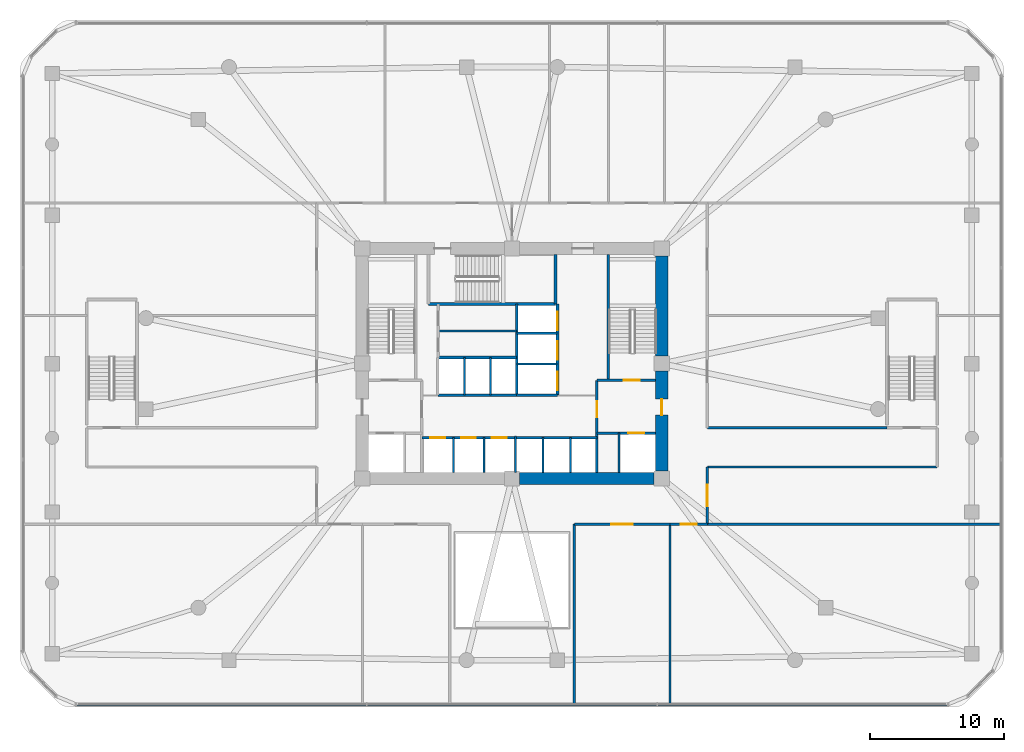
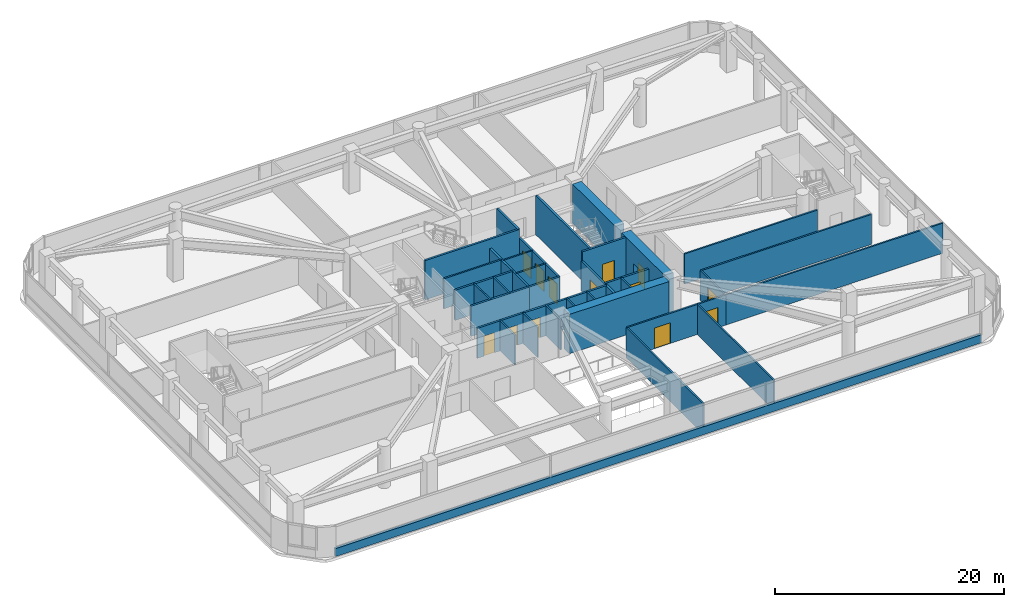
# One storey, part 17 of 21: 36 walls, 13 doors, 13 openings.
"""IFC4 building model written with IfcOpenShell, lengths in metres."""

from ifc_helpers import new_model, si_unit, derived_unit, direction, frame, frame_2d, origin, place, context, subcontext, project, spatial, rectangle, extrude, material, layer, layer_set, type_object, element, fill, save


model = new_model("IFC4")

# Units and contexts
model_context = context("Model", 3, precision=1e-05, world=origin(), true_north=direction((0.0, 1.0)))
body_context = subcontext(model_context, "Body", "Model", "MODEL_VIEW")
ifc_project = project(units=[si_unit("LENGTHUNIT", "METRE"), si_unit("AREAUNIT", "SQUARE_METRE"), si_unit("VOLUMEUNIT", "CUBIC_METRE"), si_unit("PLANEANGLEUNIT", "RADIAN"), si_unit("MASSUNIT", "GRAM", prefix="KILO"), derived_unit("THERMALTRANSMITTANCEUNIT", [(si_unit("POWERUNIT", "WATT"), 1), (si_unit("LENGTHUNIT", "METRE"), -2), (si_unit("THERMODYNAMICTEMPERATUREUNIT", "KELVIN"), -1)])], contexts=[model_context])

# Site, building, storey
site_placement = place(None, origin())
site = spatial("IfcSite", under=ifc_project, at=site_placement, CompositionType="ELEMENT")
building_placement = place(site_placement, origin())
building = spatial("IfcBuilding", under=site, at=building_placement, Name="Koralith Skygarden Medical Center", CompositionType="ELEMENT")
storey_placement = place(building_placement, frame((0.0, 0.0, 5.39990234375)))
storey = spatial("IfcBuildingStorey", under=building, at=storey_placement, Name="L01", CompositionType="ELEMENT", Elevation=5.39990234375)

# Walls
ifc_material_1 = material(Name="Gypsum Board Partition")
ifc_layer_1 = layer(ifc_material_1, 0.14990234375)
ifc_layer_set_1 = layer_set([ifc_layer_1], Name="Gypsum Board Partition")
wall_type_1 = type_object("IfcWallType", Name="Clinical Acoustic Partition 150", PredefinedType="PARTITIONING", material=ifc_layer_set_1)
wall_1_placement = place(storey_placement, frame((48.800048828125, 0.43994140625, 0.0), z_axis=(0.0, 0.0, 1.0), x_axis=(0.0, 1.0, 0.0)))
element("IfcWall", 1, at=wall_1_placement, inside=storey, type_object=wall_type_1, Name="L01 Clinical Acoustic Partition 150 W-PDPART-L01-SR-1", PredefinedType="PARTITIONING", context=body_context, shape_type="SweptSolid", body=[
    extrude(rectangle(XDim=13.449951171875, YDim=0.14990234375, at=frame_2d((6.72509765625, 0.0))), origin(), (0.0, 0.0, 1.0), 3.210205078125),
])
ifc_layer_2 = layer(ifc_material_1, 0.1650390625)
ifc_layer_set_2 = layer_set([ifc_layer_2], Name="Gypsum Board Partition")
wall_type_2 = type_object("IfcWallType", Name="Clinical Corridor Partition 165", PredefinedType="PARTITIONING", material=ifc_layer_set_2)
wall_2_placement = place(storey_placement, frame((51.610107421875, 13.889892578125, 0.0), z_axis=(0.0, 0.0, 1.0), x_axis=(1.0, 0.0, 0.0)))
element("IfcWall", 2, at=wall_2_placement, inside=storey, type_object=wall_type_2, Name="L01 Clinical Corridor Partition 165 W-WB-L01-SE", PredefinedType="PARTITIONING", context=body_context, shape_type="SweptSolid", body=[
    extrude(rectangle(XDim=21.949951171875, YDim=0.1650390625, at=frame_2d((10.97509765625, 0.0))), origin(), (0.0, 0.0, 1.0), 3.210205078125),
])
wall_3_placement = place(storey_placement, frame((51.610107421875, 18.169921875, 0.0), z_axis=(0.0, 0.0, 1.0), x_axis=(1.0, 0.0, 0.0)))
element("IfcWall", 3, at=wall_3_placement, inside=storey, type_object=wall_type_2, Name="L01 Clinical Corridor Partition 165 W-PARM-L01-ES", PredefinedType="PARTITIONING", context=body_context, shape_type="SweptSolid", body=[
    extrude(rectangle(XDim=17.18994140625, YDim=0.1650390625, at=frame_2d((8.594970703125, 0.0))), origin(), (0.0, 0.0, 1.0), 3.210205078125),
])
wall_4_placement = place(storey_placement, frame((51.610107421875, 21.10009765625, 0.0), z_axis=(0.0, 0.0, 1.0), x_axis=(1.0, 0.0, 0.0)))
element("IfcWall", 4, at=wall_4_placement, inside=storey, type_object=wall_type_2, Name="L01 Clinical Corridor Partition 165 W-PARM-L01-EN", PredefinedType="PARTITIONING", context=body_context, shape_type="SweptSolid", body=[
    extrude(rectangle(XDim=13.43994140625, YDim=0.1650390625, at=frame_2d((6.719970703125, 0.0))), origin(), (0.0, 0.0, 1.0), 3.210205078125),
])
wall_5_placement = place(storey_placement, frame((41.659912109375, 0.43994140625, 0.0), z_axis=(0.0, 0.0, 1.0), x_axis=(0.0, 1.0, 0.0)))
element("IfcWall", 5, at=wall_5_placement, inside=storey, type_object=wall_type_2, Name="L01 Clinical Corridor Partition 165 W-PATR-L01-E", PredefinedType="PARTITIONING", context=body_context, shape_type="SweptSolid", body=[
    extrude(rectangle(XDim=13.449951171875, YDim=0.1650390625, at=frame_2d((6.72509765625, 0.0))), origin(), (0.0, 0.0, 1.0), 3.210205078125),
])

# Wall, opening, door
wall_6_placement = place(storey_placement, frame((41.659912109375, 13.889892578125, 0.0), z_axis=(0.0, 0.0, 1.0), x_axis=(1.0, 0.0, 0.0)))
wall_6 = element("IfcWall", 6, at=wall_6_placement, inside=storey, type_object=wall_type_2, Name="L01 Clinical Corridor Partition 165 W-PDCOR-L01-SR-1", PredefinedType="PARTITIONING", context=body_context, shape_type="SweptSolid", body=[
    extrude(rectangle(XDim=7.14013671875, YDim=0.1650390625, at=frame_2d((3.570068359375, 0.0))), origin(), (0.0, 0.0, 1.0), 3.210205078125),
])
opening_1_placement = place(wall_6_placement, frame((2.77001953125, 0.0, 0.0)))
opening_1 = element("IfcOpeningElement", 7, at=opening_1_placement, cuts=wall_6, Name="Opening D-DBL", PredefinedType="OPENING", context=body_context, shape_type="SweptSolid", body=[
    extrude(rectangle(XDim=1.60009765625, YDim=2.199951171875, at=frame_2d((0.800048828125, 1.10009765625))), frame((0.0, 0.092529296875, 0.0), z_axis=(0.0, -1.0, 0.0), x_axis=(1.0, 0.0, 0.0)), (0.0, 0.0, 1.0), 0.18505859375),
])
ifc_material_2 = material(Name="Aluminium 6063-T6", Category="aluminium")
door_type_1 = type_object("IfcDoorType", Name="Double Clinical Suite Door D-DBL 1600", OperationType="NOTDEFINED", PredefinedType="DOOR", material=ifc_material_2)
door_1_placement = place(opening_1_placement, frame((1.60009765625, 0.0, 0.0), z_axis=(0.0, 0.0, 1.0), x_axis=(-1.0, 0.0, 0.0)))
door_1 = element("IfcDoor", 8, at=door_1_placement, inside=storey, type_object=door_type_1, Name="L01 Outpatient Reception and Waiting Lounge Door", OperationType="DOUBLE_DOOR_SINGLE_SWING", OverallHeight=2.199951171875, OverallWidth=1.60009765625, PredefinedType="DOOR", context=body_context, shape_type="SweptSolid", body=[
    extrude(rectangle(XDim=1.60009765625, YDim=2.199951171875, at=frame_2d((0.800048828125, 1.10009765625))), frame((0.0, 0.02490234375, 0.0), z_axis=(0.0, -1.0, 0.0), x_axis=(1.0, 0.0, 0.0)), (0.0, 0.0, 1.0), 0.050048828125),
])
fill(opening_1, door_1)

wall_7_placement = place(storey_placement, frame((48.800048828125, 13.889892578125, 0.0), z_axis=(0.0, 0.0, 1.0), x_axis=(1.0, 0.0, 0.0)))
wall_7 = element("IfcWall", 9, at=wall_7_placement, inside=storey, type_object=wall_type_2, Name="L01 Clinical Corridor Partition 165 W-PDCOR-L01-SR-2", PredefinedType="PARTITIONING", context=body_context, shape_type="SweptSolid", body=[
    extrude(rectangle(XDim=2.81005859375, YDim=0.1650390625, at=frame_2d((1.405029296875, 0.0))), origin(), (0.0, 0.0, 1.0), 3.210205078125),
])
opening_2_placement = place(wall_7_placement, frame((0.804931640625, 0.0, 0.0)))
opening_2 = element("IfcOpeningElement", 10, at=opening_2_placement, cuts=wall_7, Name="Opening D-CLN", PredefinedType="OPENING", context=body_context, shape_type="SweptSolid", body=[
    extrude(rectangle(XDim=1.199951171875, YDim=2.14990234375, at=frame_2d((0.60009765625, 1.074951171875))), frame((0.0, 0.092529296875, 0.0), z_axis=(0.0, -1.0, 0.0), x_axis=(1.0, 0.0, 0.0)), (0.0, 0.0, 1.0), 0.18505859375),
])
door_type_2 = type_object("IfcDoorType", Name="Clinical Corridor Door D-CLN 1200", OperationType="NOTDEFINED", PredefinedType="DOOR", material=ifc_material_2)
door_2_placement = place(opening_2_placement, frame((1.199951171875, 0.0, 0.0), z_axis=(0.0, 0.0, 1.0), x_axis=(-1.0, 0.0, 0.0)))
door_2 = element("IfcDoor", 11, at=door_2_placement, inside=storey, type_object=door_type_2, Name="L01 Public Ambulant Restroom WC Door", OperationType="SINGLE_SWING_LEFT", OverallHeight=2.14990234375, OverallWidth=1.199951171875, PredefinedType="DOOR", context=body_context, shape_type="SweptSolid", body=[
    extrude(rectangle(XDim=1.199951171875, YDim=2.14990234375, at=frame_2d((0.60009765625, 1.074951171875))), frame((0.0, 0.02490234375, 0.0), z_axis=(0.0, -1.0, 0.0), x_axis=(1.0, 0.0, 0.0)), (0.0, 0.0, 1.0), 0.050048828125),
])
fill(opening_2, door_2)

wall_8_placement = place(storey_placement, frame((51.610107421875, 13.889892578125, 0.0), z_axis=(0.0, 0.0, 1.0), x_axis=(0.0, 1.0, 0.0)))
wall_8 = element("IfcWall", 12, at=wall_8_placement, inside=storey, type_object=wall_type_2, Name="L01 Clinical Corridor Partition 165 W-PDCOR-L01-E-1", PredefinedType="PARTITIONING", context=body_context, shape_type="SweptSolid", body=[
    extrude(rectangle(XDim=4.280029296875, YDim=0.1650390625, at=frame_2d((2.14013671875, 0.0))), origin(), (0.0, 0.0, 1.0), 3.210205078125),
])
opening_3_placement = place(wall_8_placement, frame((1.340087890625, 0.0, 0.0)))
opening_3 = element("IfcOpeningElement", 13, at=opening_3_placement, cuts=wall_8, Name="Opening D-DBL", PredefinedType="OPENING", context=body_context, shape_type="SweptSolid", body=[
    extrude(rectangle(XDim=1.60009765625, YDim=2.199951171875, at=frame_2d((0.800048828125, 1.10009765625))), frame((0.0, 0.092529296875, 0.0), z_axis=(0.0, -1.0, 0.0), x_axis=(1.0, 0.0, 0.0)), (0.0, 0.0, 1.0), 0.18505859375),
])
door_3_placement = place(opening_3_placement, origin())
door_3 = element("IfcDoor", 14, at=door_3_placement, inside=storey, type_object=door_type_1, Name="L01 Outpatient Ophthalmology Clinic Door", OperationType="DOUBLE_DOOR_SINGLE_SWING", OverallHeight=2.199951171875, OverallWidth=1.60009765625, PredefinedType="DOOR", context=body_context, shape_type="SweptSolid", body=[
    extrude(rectangle(XDim=1.60009765625, YDim=2.199951171875, at=frame_2d((0.800048828125, 1.10009765625))), frame((0.0, 0.02490234375, 0.0), z_axis=(0.0, -1.0, 0.0), x_axis=(1.0, 0.0, 0.0)), (0.0, 0.0, 1.0), 0.050048828125),
])
fill(opening_3, door_3)

ifc_layer_3 = layer(ifc_material_1, 0.199951171875)
ifc_layer_set_3 = layer_set([ifc_layer_3], Name="Gypsum Board Partition")
wall_type_3 = type_object("IfcWallType", Name="Fire Shaft Wall 200", PredefinedType="SOLIDWALL", material=ifc_layer_set_3)
wall_9_placement = place(storey_placement, frame((43.35009765625, 20.699951171875, 0.0), z_axis=(0.0, 0.0, 1.0), x_axis=(1.0, 0.0, 0.0)))
wall_9 = element("IfcWall", 15, at=wall_9_placement, inside=storey, type_object=wall_type_3, Name="L01 Fire Shaft Wall 200 W-CORE-L01-FF2-N", PredefinedType="SOLIDWALL", context=body_context, shape_type="SweptSolid", body=[
    extrude(rectangle(XDim=4.39990234375, YDim=0.199951171875, at=frame_2d((2.199951171875, 0.0))), origin(), (0.0, 0.0, 1.0), 3.210205078125),
])
opening_4_placement = place(wall_9_placement, frame((2.35009765625, 0.0, 0.0)))
opening_4 = element("IfcOpeningElement", 16, at=opening_4_placement, cuts=wall_9, Name="Opening LD-FF", PredefinedType="OPENING", context=body_context, shape_type="SweptSolid", body=[
    extrude(rectangle(XDim=1.199951171875, YDim=2.14990234375, at=frame_2d((0.60009765625, 1.074951171875))), frame((0.0, 0.10986328125, 0.0), z_axis=(0.0, -1.0, 0.0), x_axis=(1.0, 0.0, 0.0)), (0.0, 0.0, 1.0), 0.219970703125),
])
ifc_material_3 = material(Name="Steel ASTM A500 Grade C", Category="steel")
door_type_3 = type_object("IfcDoorType", Name="Fire Lift Sliding Landing Door LD-FF 1200", OperationType="NOTDEFINED", PredefinedType="DOOR", material=ifc_material_3)
door_4_placement = place(opening_4_placement, origin())
door_4 = element("IfcDoor", 17, at=door_4_placement, inside=storey, type_object=door_type_3, Name="L01 Fire Service Elevator FF2 Landing Door", OperationType="SLIDING_TO_RIGHT", OverallHeight=2.14990234375, OverallWidth=1.199951171875, PredefinedType="DOOR", context=body_context, shape_type="SweptSolid", body=[
    extrude(rectangle(XDim=1.199951171875, YDim=2.14990234375, at=frame_2d((0.60009765625, 1.074951171875))), frame((0.0, 0.02490234375, 0.0), z_axis=(0.0, -1.0, 0.0), x_axis=(1.0, 0.0, 0.0)), (0.0, 0.0, 1.0), 0.050048828125),
])
fill(opening_4, door_4)

wall_10_placement = place(storey_placement, frame((43.35009765625, 17.75, 0.0), z_axis=(0.0, 0.0, 1.0), x_axis=(0.0, 1.0, 0.0)))
wall_10 = element("IfcWall", 18, at=wall_10_placement, inside=storey, type_object=wall_type_3, Name="L01 Fire Shaft Wall 200 W-CORE-L01-FSAEE-W", PredefinedType="SOLIDWALL", context=body_context, shape_type="SweptSolid", body=[
    extrude(rectangle(XDim=6.89990234375, YDim=0.199951171875, at=frame_2d((3.449951171875, 0.0))), origin(), (0.0, 0.0, 1.0), 3.210205078125),
])
opening_5_placement = place(wall_10_placement, frame((4.14990234375, 0.0, 0.0)))
opening_5 = element("IfcOpeningElement", 19, at=opening_5_placement, cuts=wall_10, Name="Opening D-ST60", PredefinedType="OPENING", context=body_context, shape_type="SweptSolid", body=[
    extrude(rectangle(XDim=1.199951171875, YDim=2.14990234375, at=frame_2d((0.60009765625, 1.074951171875))), frame((0.0, 0.10986328125, 0.0), z_axis=(0.0, -1.0, 0.0), x_axis=(1.0, 0.0, 0.0)), (0.0, 0.0, 1.0), 0.219970703125),
])
door_type_4 = type_object("IfcDoorType", Name="Smokeproof Stair Fire Door FD60S 1200", OperationType="NOTDEFINED", PredefinedType="DOOR", material=ifc_material_3)
door_5_placement = place(opening_5_placement, frame((1.199951171875, 0.0, 0.0), z_axis=(0.0, 0.0, 1.0), x_axis=(-1.0, 0.0, 0.0)))
door_5 = element("IfcDoor", 20, at=door_5_placement, inside=storey, type_object=door_type_4, Name="L01 East Firefighting Lobby Inner Fire Door", OperationType="SINGLE_SWING_RIGHT", OverallHeight=2.14990234375, OverallWidth=1.199951171875, PredefinedType="DOOR", context=body_context, shape_type="SweptSolid", body=[
    extrude(rectangle(XDim=1.199951171875, YDim=2.14990234375, at=frame_2d((0.60009765625, 1.074951171875))), frame((0.0, 0.02490234375, 0.0), z_axis=(0.0, -1.0, 0.0), x_axis=(1.0, 0.0, 0.0)), (0.0, 0.0, 1.0), 0.050048828125),
])
fill(opening_5, door_5)

# Wall, openings, doors
wall_11_placement = place(storey_placement, frame((30.25, 20.360107421875, 0.0), z_axis=(0.0, 0.0, 1.0), x_axis=(1.0, 0.0, 0.0)))
wall_11 = element("IfcWall", 21, at=wall_11_placement, inside=storey, type_object=wall_type_3, Name="L01 Fire Shaft Wall 200 W-CORE-L01-PL-N", PredefinedType="SOLIDWALL", context=body_context, shape_type="SweptSolid", body=[
    extrude(rectangle(XDim=7.0, YDim=0.199951171875, at=frame_2d((3.5, 0.0))), origin(), (0.0, 0.0, 1.0), 3.210205078125),
])
opening_6_placement = place(wall_11_placement, frame((0.64990234375, 0.0, 0.0)))
opening_6 = element("IfcOpeningElement", 22, at=opening_6_placement, cuts=wall_11, Name="Opening LD-P", PredefinedType="OPENING", context=body_context, shape_type="SweptSolid", body=[
    extrude(rectangle(XDim=1.10009765625, YDim=2.14990234375, at=frame_2d((0.550048828125, 1.074951171875))), frame((0.0, 0.10986328125, 0.0), z_axis=(0.0, -1.0, 0.0), x_axis=(1.0, 0.0, 0.0)), (0.0, 0.0, 1.0), 0.219970703125),
])
opening_7_placement = place(wall_11_placement, frame((2.949951171875, 0.0, 0.0)))
opening_7 = element("IfcOpeningElement", 23, at=opening_7_placement, cuts=wall_11, Name="Opening LD-P", PredefinedType="OPENING", context=body_context, shape_type="SweptSolid", body=[
    extrude(rectangle(XDim=1.10009765625, YDim=2.14990234375, at=frame_2d((0.550048828125, 1.074951171875))), frame((0.0, 0.10986328125, 0.0), z_axis=(0.0, -1.0, 0.0), x_axis=(1.0, 0.0, 0.0)), (0.0, 0.0, 1.0), 0.219970703125),
])
opening_8_placement = place(wall_11_placement, frame((5.25, 0.0, 0.0)))
opening_8 = element("IfcOpeningElement", 24, at=opening_8_placement, cuts=wall_11, Name="Opening LD-P", PredefinedType="OPENING", context=body_context, shape_type="SweptSolid", body=[
    extrude(rectangle(XDim=1.10009765625, YDim=2.14990234375, at=frame_2d((0.550048828125, 1.074951171875))), frame((0.0, 0.10986328125, 0.0), z_axis=(0.0, -1.0, 0.0), x_axis=(1.0, 0.0, 0.0)), (0.0, 0.0, 1.0), 0.219970703125),
])
door_type_5 = type_object("IfcDoorType", Name="Passenger Lift Sliding Landing Door LD-P 1100", OperationType="NOTDEFINED", PredefinedType="DOOR", material=ifc_material_3)
door_6_placement = place(opening_6_placement, origin())
door_6 = element("IfcDoor", 25, at=door_6_placement, inside=storey, type_object=door_type_5, Name="L01 Passenger Elevator PL1 Landing Door", OperationType="SLIDING_TO_LEFT", OverallHeight=2.14990234375, OverallWidth=1.10009765625, PredefinedType="DOOR", context=body_context, shape_type="SweptSolid", body=[
    extrude(rectangle(XDim=1.10009765625, YDim=2.14990234375, at=frame_2d((0.550048828125, 1.074951171875))), frame((0.0, 0.02490234375, 0.0), z_axis=(0.0, -1.0, 0.0), x_axis=(1.0, 0.0, 0.0)), (0.0, 0.0, 1.0), 0.050048828125),
])
fill(opening_6, door_6)
door_7_placement = place(opening_7_placement, origin())
door_7 = element("IfcDoor", 26, at=door_7_placement, inside=storey, type_object=door_type_5, Name="L01 Passenger Elevator PL2 Landing Door", OperationType="SLIDING_TO_LEFT", OverallHeight=2.14990234375, OverallWidth=1.10009765625, PredefinedType="DOOR", context=body_context, shape_type="SweptSolid", body=[
    extrude(rectangle(XDim=1.10009765625, YDim=2.14990234375, at=frame_2d((0.550048828125, 1.074951171875))), frame((0.0, 0.02490234375, 0.0), z_axis=(0.0, -1.0, 0.0), x_axis=(1.0, 0.0, 0.0)), (0.0, 0.0, 1.0), 0.050048828125),
])
fill(opening_7, door_7)
door_8_placement = place(opening_8_placement, origin())
door_8 = element("IfcDoor", 27, at=door_8_placement, inside=storey, type_object=door_type_5, Name="L01 Passenger Elevator PL3 Landing Door", OperationType="SLIDING_TO_LEFT", OverallHeight=2.14990234375, OverallWidth=1.10009765625, PredefinedType="DOOR", context=body_context, shape_type="SweptSolid", body=[
    extrude(rectangle(XDim=1.10009765625, YDim=2.14990234375, at=frame_2d((0.550048828125, 1.074951171875))), frame((0.0, 0.02490234375, 0.0), z_axis=(0.0, -1.0, 0.0), x_axis=(1.0, 0.0, 0.0)), (0.0, 0.0, 1.0), 0.050048828125),
])
fill(opening_8, door_8)

# Walls
wall_12_placement = place(storey_placement, frame((37.25, 20.360107421875, 0.0), z_axis=(0.0, 0.0, 1.0), x_axis=(1.0, 0.0, 0.0)))
element("IfcWall", 28, at=wall_12_placement, inside=storey, type_object=wall_type_3, Name="L01 Fire Shaft Wall 200 W-CORE-L01-PM-N", PredefinedType="SOLIDWALL", context=body_context, shape_type="SweptSolid", body=[
    extrude(rectangle(XDim=6.10009765625, YDim=0.199951171875, at=frame_2d((3.050048828125, 0.0))), origin(), (0.0, 0.0, 1.0), 3.210205078125),
])
for number, where, z_axis, x_axis, name in (
    (29, (31.449951171875, 23.5400390625, 0.0), (0.0, 0.0, 1.0), (1.0, 0.0, 0.0), "L01 Fire Shaft Wall 200 W-CORE-L01-PH-S"),
    (30, (31.449951171875, 26.35009765625, 0.0), (0.0, 0.0, 1.0), (1.0, 0.0, 0.0), "L01 Fire Shaft Wall 200 W-CORE-L01-PH-N"),
):
    element("IfcWall", number, at=place(storey_placement, frame(where, z_axis=z_axis, x_axis=x_axis)), inside=storey, type_object=wall_type_3, Name=name, PredefinedType="SOLIDWALL", context=body_context, shape_type="SweptSolid", body=[
        extrude(rectangle(XDim=5.900146484375, YDim=0.199951171875, at=frame_2d((2.9501953125, 0.0))), origin(), (0.0, 0.0, 1.0), 3.210205078125),
    ])
wall_13_placement = place(storey_placement, frame((37.35009765625, 23.5400390625, 0.0), z_axis=(0.0, 0.0, 1.0), x_axis=(0.0, 1.0, 0.0)))
element("IfcWall", 31, at=wall_13_placement, inside=storey, type_object=wall_type_3, Name="L01 Fire Shaft Wall 200 W-CORE-L01-SV-W", PredefinedType="SOLIDWALL", context=body_context, shape_type="SweptSolid", body=[
    extrude(rectangle(XDim=6.820068359375, YDim=0.199951171875, at=frame_2d((3.41015625, 0.0))), origin(), (0.0, 0.0, 1.0), 3.210205078125),
])
wall_14_placement = place(storey_placement, frame((37.35009765625, 23.5400390625, 0.0), z_axis=(0.0, 0.0, 1.0), x_axis=(1.0, 0.0, 0.0)))
element("IfcWall", 32, at=wall_14_placement, inside=storey, type_object=wall_type_3, Name="L01 Fire Shaft Wall 200 W-CORE-L01-SV-S", PredefinedType="SOLIDWALL", context=body_context, shape_type="SweptSolid", body=[
    extrude(rectangle(XDim=3.0498046875, YDim=0.199951171875, at=frame_2d((1.52490234375, 0.0))), origin(), (0.0, 0.0, 1.0), 3.210205078125),
])

# Wall, openings, doors
wall_15_placement = place(storey_placement, frame((40.39990234375, 23.5400390625, 0.0), z_axis=(0.0, 0.0, 1.0), x_axis=(0.0, 1.0, 0.0)))
wall_15 = element("IfcWall", 33, at=wall_15_placement, inside=storey, type_object=wall_type_3, Name="L01 Fire Shaft Wall 200 W-CORE-L01-SV-E", PredefinedType="SOLIDWALL", context=body_context, shape_type="SweptSolid", body=[
    extrude(rectangle(XDim=6.820068359375, YDim=0.199951171875, at=frame_2d((3.41015625, 0.0))), origin(), (0.0, 0.0, 1.0), 3.210205078125),
])
opening_9_placement = place(wall_15_placement, frame((0.35009765625, 0.0, 0.0)))
opening_9 = element("IfcOpeningElement", 34, at=opening_9_placement, cuts=wall_15, Name="Opening LD-SV", PredefinedType="OPENING", context=body_context, shape_type="SweptSolid", body=[
    extrude(rectangle(XDim=1.39990234375, YDim=2.199951171875, at=frame_2d((0.699951171875, 1.10009765625))), frame((0.0, 0.10986328125, 0.0), z_axis=(0.0, -1.0, 0.0), x_axis=(1.0, 0.0, 0.0)), (0.0, 0.0, 1.0), 0.219970703125),
])
opening_10_placement = place(wall_15_placement, frame((2.64990234375, 0.0, 0.0)))
opening_10 = element("IfcOpeningElement", 35, at=opening_10_placement, cuts=wall_15, Name="Opening LD-SV", PredefinedType="OPENING", context=body_context, shape_type="SweptSolid", body=[
    extrude(rectangle(XDim=1.39990234375, YDim=2.199951171875, at=frame_2d((0.699951171875, 1.10009765625))), frame((0.0, 0.10986328125, 0.0), z_axis=(0.0, -1.0, 0.0), x_axis=(1.0, 0.0, 0.0)), (0.0, 0.0, 1.0), 0.219970703125),
])
opening_11_placement = place(wall_15_placement, frame((4.85009765625, 0.0, 0.0)))
opening_11 = element("IfcOpeningElement", 36, at=opening_11_placement, cuts=wall_15, Name="Opening LD-SV", PredefinedType="OPENING", context=body_context, shape_type="SweptSolid", body=[
    extrude(rectangle(XDim=1.39990234375, YDim=2.199951171875, at=frame_2d((0.699951171875, 1.10009765625))), frame((0.0, 0.10986328125, 0.0), z_axis=(0.0, -1.0, 0.0), x_axis=(1.0, 0.0, 0.0)), (0.0, 0.0, 1.0), 0.219970703125),
])
door_type_6 = type_object("IfcDoorType", Name="Bed Lift Sliding Landing Door LD-SV 1400", OperationType="NOTDEFINED", PredefinedType="DOOR", material=ifc_material_3)
door_9_placement = place(opening_9_placement, origin())
door_9 = element("IfcDoor", 37, at=door_9_placement, inside=storey, type_object=door_type_6, Name="L01 Bed Elevator BD1 Landing Door", OperationType="SLIDING_TO_LEFT", OverallHeight=2.199951171875, OverallWidth=1.39990234375, PredefinedType="DOOR", context=body_context, shape_type="SweptSolid", body=[
    extrude(rectangle(XDim=1.39990234375, YDim=2.199951171875, at=frame_2d((0.699951171875, 1.10009765625))), frame((0.0, 0.02490234375, 0.0), z_axis=(0.0, -1.0, 0.0), x_axis=(1.0, 0.0, 0.0)), (0.0, 0.0, 1.0), 0.050048828125),
])
fill(opening_9, door_9)
door_10_placement = place(opening_10_placement, origin())
door_10 = element("IfcDoor", 38, at=door_10_placement, inside=storey, type_object=door_type_6, Name="L01 Service Elevator BD2 Landing Door", OperationType="SLIDING_TO_LEFT", OverallHeight=2.199951171875, OverallWidth=1.39990234375, PredefinedType="DOOR", context=body_context, shape_type="SweptSolid", body=[
    extrude(rectangle(XDim=1.39990234375, YDim=2.199951171875, at=frame_2d((0.699951171875, 1.10009765625))), frame((0.0, 0.02490234375, 0.0), z_axis=(0.0, -1.0, 0.0), x_axis=(1.0, 0.0, 0.0)), (0.0, 0.0, 1.0), 0.050048828125),
])
fill(opening_10, door_10)
door_11_placement = place(opening_11_placement, origin())
door_11 = element("IfcDoor", 39, at=door_11_placement, inside=storey, type_object=door_type_6, Name="L01 Trauma Elevator TR1 Landing Door", OperationType="SLIDING_TO_RIGHT", OverallHeight=2.199951171875, OverallWidth=1.39990234375, PredefinedType="DOOR", context=body_context, shape_type="SweptSolid", body=[
    extrude(rectangle(XDim=1.39990234375, YDim=2.199951171875, at=frame_2d((0.699951171875, 1.10009765625))), frame((0.0, 0.02490234375, 0.0), z_axis=(0.0, -1.0, 0.0), x_axis=(1.0, 0.0, 0.0)), (0.0, 0.0, 1.0), 0.050048828125),
])
fill(opening_11, door_11)

# Walls
ifc_material_4 = material(Name="Warm Oolitic Limestone Cladding", Category="masonry")
ifc_layer_4 = layer(ifc_material_4, 0.239990234375)
ifc_layer_set_4 = layer_set([ifc_layer_4], Name="Warm Oolitic Limestone Cladding")
wall_type_4 = type_object("IfcWallType", Name="Limestone Spandrel Sill Backup Wall 240", PredefinedType="SOLIDWALL", material=ifc_layer_set_4)
wall_16_placement = place(storey_placement, frame((4.37890625, 0.419921875, 0.0), z_axis=(0.0, 0.0, 1.0), x_axis=(1.0, 0.0, 0.0)))
element("IfcWall", 40, at=wall_16_placement, inside=storey, type_object=wall_type_4, Name="L01 Sill Spandrel Wall S", PredefinedType="SOLIDWALL", context=body_context, shape_type="SweptSolid", body=[
    extrude(rectangle(XDim=65.2421875, YDim=0.239990234375, at=frame_2d((32.62109375, 0.0))), origin(), (0.0, 0.0, 1.0), 0.85009765625),
])
ifc_material_5 = material(Name="Concrete C70/85", Category="concrete")
ifc_layer_5 = layer(ifc_material_5, 0.89990234375)
ifc_layer_set_5 = layer_set([ifc_layer_5], Name="Concrete C70/85")
wall_type_5 = type_object("IfcWallType", Name="Lower Core Shear Wall 900", PredefinedType="SHEAR", material=ifc_layer_set_5)
wall_17_placement = place(storey_placement, frame((37.56494140625, 17.300048828125, 0.0), z_axis=(0.0, 0.0, 1.0), x_axis=(1.0, 0.0, 0.0)))
element("IfcWall", 41, at=wall_17_placement, inside=storey, type_object=wall_type_5, Name="L01 Core Shear Wall Segment 2", PredefinedType="SHEAR", context=body_context, shape_type="SweptSolid", body=[
    extrude(rectangle(XDim=10.070068359375, YDim=0.89990234375, at=frame_2d((5.03515625, 0.0))), origin(), (0.0, 0.0, 1.0), 4.2001953125),
])

# Wall, opening, door
wall_18_placement = place(storey_placement, frame((48.199951171875, 17.864990234375, 0.0), z_axis=(0.0, 0.0, 1.0), x_axis=(0.0, 1.0, 0.0)))
wall_18 = element("IfcWall", 42, at=wall_18_placement, inside=storey, type_object=wall_type_5, Name="L01 Core Shear Wall Segment 3", PredefinedType="SHEAR", context=body_context, shape_type="SweptSolid", body=[
    extrude(rectangle(XDim=7.469970703125, YDim=0.89990234375, at=frame_2d((3.73486328125, 0.0))), origin(), (0.0, 0.0, 1.0), 4.2001953125),
])
opening_12_placement = place(wall_18_placement, frame((4.18505859375, 0.0, 0.0)))
opening_12 = element("IfcOpeningElement", 43, at=opening_12_placement, cuts=wall_18, Name="Opening D-ST60", PredefinedType="OPENING", context=body_context, shape_type="SweptSolid", body=[
    extrude(rectangle(XDim=1.199951171875, YDim=2.14990234375, at=frame_2d((0.60009765625, 1.074951171875))), frame((0.0, 0.4599609375, 0.0), z_axis=(0.0, -1.0, 0.0), x_axis=(1.0, 0.0, 0.0)), (0.0, 0.0, 1.0), 0.919921875),
])
door_12_placement = place(opening_12_placement, frame((1.199951171875, 0.0, 0.0), z_axis=(0.0, 0.0, 1.0), x_axis=(-1.0, 0.0, 0.0)))
door_12 = element("IfcDoor", 44, at=door_12_placement, inside=storey, type_object=door_type_4, Name="L01 East Corridor to Firefighting Lobby Door", OperationType="SINGLE_SWING_RIGHT", OverallHeight=2.14990234375, OverallWidth=1.199951171875, PredefinedType="DOOR", context=body_context, shape_type="SweptSolid", body=[
    extrude(rectangle(XDim=1.199951171875, YDim=2.14990234375, at=frame_2d((0.60009765625, 1.074951171875))), frame((0.0, 0.02490234375, 0.0), z_axis=(0.0, -1.0, 0.0), x_axis=(1.0, 0.0, 0.0)), (0.0, 0.0, 1.0), 0.050048828125),
])
fill(opening_12, door_12)

# Walls
wall_19_placement = place(storey_placement, frame((48.199951171875, 26.465087890625, 0.0), z_axis=(0.0, 0.0, 1.0), x_axis=(0.0, 1.0, 0.0)))
element("IfcWall", 45, at=wall_19_placement, inside=storey, type_object=wall_type_5, Name="L01 Core Shear Wall Segment 4", PredefinedType="SHEAR", context=body_context, shape_type="SweptSolid", body=[
    extrude(rectangle(XDim=7.469970703125, YDim=0.89990234375, at=frame_2d((3.73486328125, 0.0))), origin(), (0.0, 0.0, 1.0), 4.2001953125),
])
ifc_layer_6 = layer(ifc_material_1, 0.1650390625)
ifc_layer_set_6 = layer_set([ifc_layer_6], Name="Gypsum Board Partition")
wall_type_6 = type_object("IfcWallType", Name="Plumbing Wet Wall 165", PredefinedType="PLUMBINGWALL", material=ifc_layer_set_6)
wall_20_placement = place(storey_placement, frame((31.47998046875, 28.340087890625, 0.0), z_axis=(0.0, 0.0, 1.0), x_axis=(1.0, 0.0, 0.0)))
element("IfcWall", 46, at=wall_20_placement, inside=storey, type_object=wall_type_6, Name="L01 Plumbing Wet Wall 165 W-CORE-L01-FLEX-H0", PredefinedType="PLUMBINGWALL", context=body_context, shape_type="SweptSolid", body=[
    extrude(rectangle(XDim=5.8701171875, YDim=0.1650390625, at=frame_2d((2.93505859375, 0.0))), origin(), (0.0, 0.0, 1.0), 3.210205078125),
])
ifc_layer_7 = layer(ifc_material_1, 0.14990234375)
ifc_layer_set_7 = layer_set([ifc_layer_7], Name="Gypsum Board Partition")
wall_type_7 = type_object("IfcWallType", Name="Shaft Partition Wall 150", PredefinedType="PARTITIONING", material=ifc_layer_set_7)
wall_21_placement = place(storey_placement, frame((45.02001953125, 17.75, 0.0), z_axis=(0.0, 0.0, 1.0), x_axis=(0.0, 1.0, 0.0)))
element("IfcWall", 47, at=wall_21_placement, inside=storey, type_object=wall_type_7, Name="L01 Shaft Partition Wall 150 W-CORE-L01-RSRE-DIV", PredefinedType="PARTITIONING", context=body_context, shape_type="SweptSolid", body=[
    extrude(rectangle(XDim=2.949951171875, YDim=0.14990234375, at=frame_2d((1.47509765625, 0.0))), origin(), (0.0, 0.0, 1.0), 3.210205078125),
])
for number, where, z_axis, x_axis, name in (
    (48, (32.6201171875, 17.75, 0.0), (0.0, 0.0, 1.0), (0.0, 1.0, 0.0), "L01 Shaft Partition Wall 150 W-CORE-L01-PL-D1"),
    (49, (34.919921875, 17.75, 0.0), (0.0, 0.0, 1.0), (0.0, 1.0, 0.0), "L01 Shaft Partition Wall 150 W-CORE-L01-PL-D2"),
    (50, (39.320068359375, 17.75, 0.0), (0.0, 0.0, 1.0), (0.0, 1.0, 0.0), "L01 Shaft Partition Wall 150 W-CORE-L01-PM-D1"),
    (51, (41.3701171875, 17.75, 0.0), (0.0, 0.0, 1.0), (0.0, 1.0, 0.0), "L01 Shaft Partition Wall 150 W-CORE-L01-PM-D2"),
):
    element("IfcWall", number, at=place(storey_placement, frame(where, z_axis=z_axis, x_axis=x_axis)), inside=storey, type_object=wall_type_7, Name=name, PredefinedType="PARTITIONING", context=body_context, shape_type="SweptSolid", body=[
        extrude(rectangle(XDim=2.610107421875, YDim=0.14990234375, at=frame_2d((1.30517578125, 0.0))), origin(), (0.0, 0.0, 1.0), 3.210205078125),
    ])
wall_22_placement = place(storey_placement, frame((37.25, 17.75, 0.0), z_axis=(0.0, 0.0, 1.0), x_axis=(0.0, 1.0, 0.0)))
element("IfcWall", 52, at=wall_22_placement, inside=storey, type_object=wall_type_7, Name="L01 Shaft Partition Wall 150 W-CORE-L01-PL-PM-SEP", PredefinedType="PARTITIONING", context=body_context, shape_type="SweptSolid", body=[
    extrude(rectangle(XDim=2.72998046875, YDim=0.14990234375, at=frame_2d((1.364990234375, 0.0))), origin(), (0.0, 0.0, 1.0), 3.210205078125),
])
for number, where, z_axis, x_axis, name in (
    (53, (33.449951171875, 23.5400390625, 0.0), (0.0, 0.0, 1.0), (0.0, 1.0, 0.0), "L01 Shaft Partition Wall 150 W-CORE-L01-PH-D1"),
    (54, (35.39990234375, 23.5400390625, 0.0), (0.0, 0.0, 1.0), (0.0, 1.0, 0.0), "L01 Shaft Partition Wall 150 W-CORE-L01-PH-D2"),
):
    element("IfcWall", number, at=place(storey_placement, frame(where, z_axis=z_axis, x_axis=x_axis)), inside=storey, type_object=wall_type_7, Name=name, PredefinedType="PARTITIONING", context=body_context, shape_type="SweptSolid", body=[
        extrude(rectangle(XDim=2.81005859375, YDim=0.14990234375, at=frame_2d((1.405029296875, 0.0))), origin(), (0.0, 0.0, 1.0), 3.210205078125),
    ])
for number, where, z_axis, x_axis, name in (
    (55, (37.3701171875, 25.8701171875, 0.0), (0.0, 0.0, 1.0), (1.0, 0.0, 0.0), "L01 Shaft Partition Wall 150 W-CORE-L01-SV-D1"),
    (56, (37.3701171875, 28.169921875, 0.0), (0.0, 0.0, 1.0), (1.0, 0.0, 0.0), "L01 Shaft Partition Wall 150 W-CORE-L01-SV-D2"),
):
    element("IfcWall", number, at=place(storey_placement, frame(where, z_axis=z_axis, x_axis=x_axis)), inside=storey, type_object=wall_type_7, Name=name, PredefinedType="PARTITIONING", context=body_context, shape_type="SweptSolid", body=[
        extrude(rectangle(XDim=3.009765625, YDim=0.14990234375, at=frame_2d((1.5048828125, 0.0))), origin(), (0.0, 0.0, 1.0), 3.210205078125),
    ])
ifc_material_6 = material(Name="Concrete C45/55", Category="concrete")
ifc_layer_8 = layer(ifc_material_6, 0.199951171875)
ifc_layer_set_8 = layer_set([ifc_layer_8], Name="Concrete C45/55")
wall_type_8 = type_object("IfcWallType", Name="Structural Stair Shaft Wall 200", PredefinedType="SHEAR", material=ifc_layer_set_8)
wall_23_placement = place(storey_placement, frame((44.199951171875, 24.64990234375, 0.0), z_axis=(0.0, 0.0, 1.0), x_axis=(0.0, 1.0, 0.0)))
element("IfcWall", 57, at=wall_23_placement, inside=storey, type_object=wall_type_8, Name="L01 Structural Stair Shaft Wall 200 W-CORE-L01-ST2-W", PredefinedType="SHEAR", context=body_context, shape_type="SweptSolid", body=[
    extrude(rectangle(XDim=9.400146484375, YDim=0.199951171875, at=frame_2d((4.7001953125, 0.0))), origin(), (0.0, 0.0, 1.0), 4.2001953125),
])

# Wall, opening, door
wall_24_placement = place(storey_placement, frame((43.35009765625, 24.64990234375, 0.0), z_axis=(0.0, 0.0, 1.0), x_axis=(1.0, 0.0, 0.0)))
wall_24 = element("IfcWall", 58, at=wall_24_placement, inside=storey, type_object=wall_type_8, Name="L01 Structural Stair Shaft Wall 200 W-CORE-L01-ST2-S", PredefinedType="SHEAR", context=body_context, shape_type="SweptSolid", body=[
    extrude(rectangle(XDim=4.39990234375, YDim=0.199951171875, at=frame_2d((2.199951171875, 0.0))), origin(), (0.0, 0.0, 1.0), 4.2001953125),
])
opening_13_placement = place(wall_24_placement, frame((2.0, 0.0, 0.0)))
opening_13 = element("IfcOpeningElement", 59, at=opening_13_placement, cuts=wall_24, Name="Opening D-ST60", PredefinedType="OPENING", context=body_context, shape_type="SweptSolid", body=[
    extrude(rectangle(XDim=1.199951171875, YDim=2.14990234375, at=frame_2d((0.60009765625, 1.074951171875))), frame((0.0, 0.10986328125, 0.0), z_axis=(0.0, -1.0, 0.0), x_axis=(1.0, 0.0, 0.0)), (0.0, 0.0, 1.0), 0.219970703125),
])
door_13_placement = place(opening_13_placement, origin())
door_13 = element("IfcDoor", 60, at=door_13_placement, inside=storey, type_object=door_type_4, Name="L01 Exit Stair ST2 Fire Door", OperationType="SINGLE_SWING_RIGHT", OverallHeight=2.14990234375, OverallWidth=1.199951171875, PredefinedType="DOOR", context=body_context, shape_type="SweptSolid", body=[
    extrude(rectangle(XDim=1.199951171875, YDim=2.14990234375, at=frame_2d((0.60009765625, 1.074951171875))), frame((0.0, 0.02490234375, 0.0), z_axis=(0.0, -1.0, 0.0), x_axis=(1.0, 0.0, 0.0)), (0.0, 0.0, 1.0), 0.050048828125),
])
fill(opening_13, door_13)

# Walls
wall_25_placement = place(storey_placement, frame((30.75, 30.360107421875, 0.0), z_axis=(0.0, 0.0, 1.0), x_axis=(1.0, 0.0, 0.0)))
element("IfcWall", 61, at=wall_25_placement, inside=storey, type_object=wall_type_8, Name="L01 Structural Stair Shaft Wall 200 W-CORE-L01-ST3-S", PredefinedType="SHEAR", context=body_context, shape_type="SweptSolid", body=[
    extrude(rectangle(XDim=9.5, YDim=0.199951171875, at=frame_2d((4.75, 0.0))), origin(), (0.0, 0.0, 1.0), 4.2001953125),
])
wall_26_placement = place(storey_placement, frame((40.25, 30.360107421875, 0.0), z_axis=(0.0, 0.0, 1.0), x_axis=(0.0, 1.0, 0.0)))
element("IfcWall", 62, at=wall_26_placement, inside=storey, type_object=wall_type_8, Name="L01 Structural Stair Shaft Wall 200 W-CORE-L01-ST3-E", PredefinedType="SHEAR", context=body_context, shape_type="SweptSolid", body=[
    extrude(rectangle(XDim=3.68994140625, YDim=0.199951171875, at=frame_2d((1.844970703125, 0.0))), origin(), (0.0, 0.0, 1.0), 4.2001953125),
])

save(model, "model.ifc")
